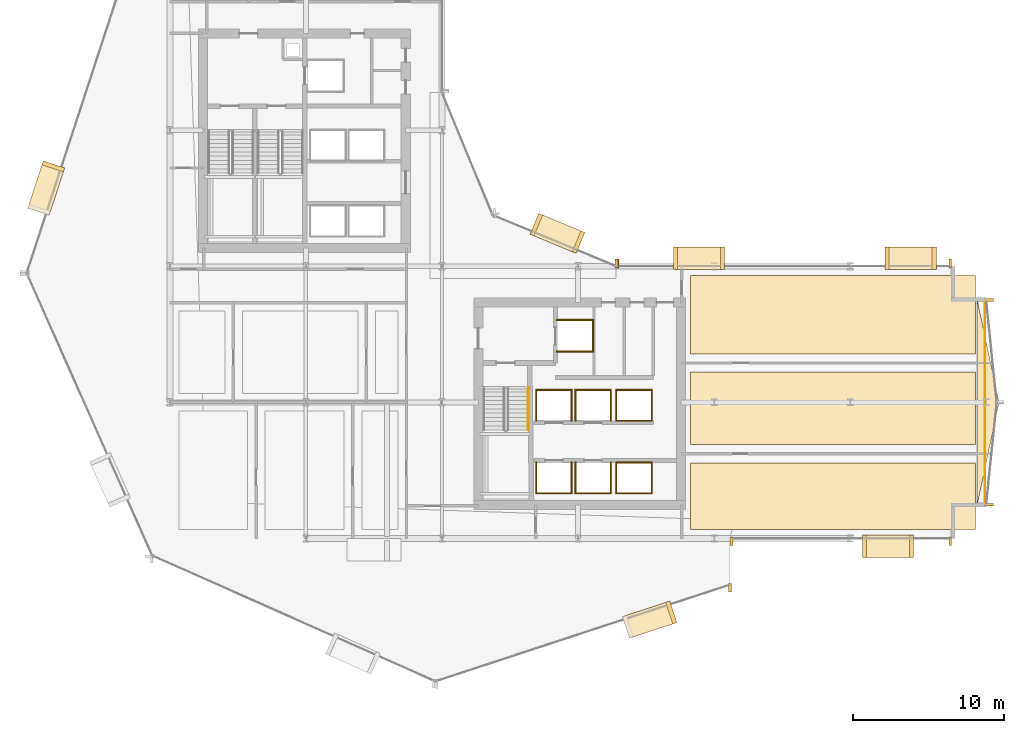
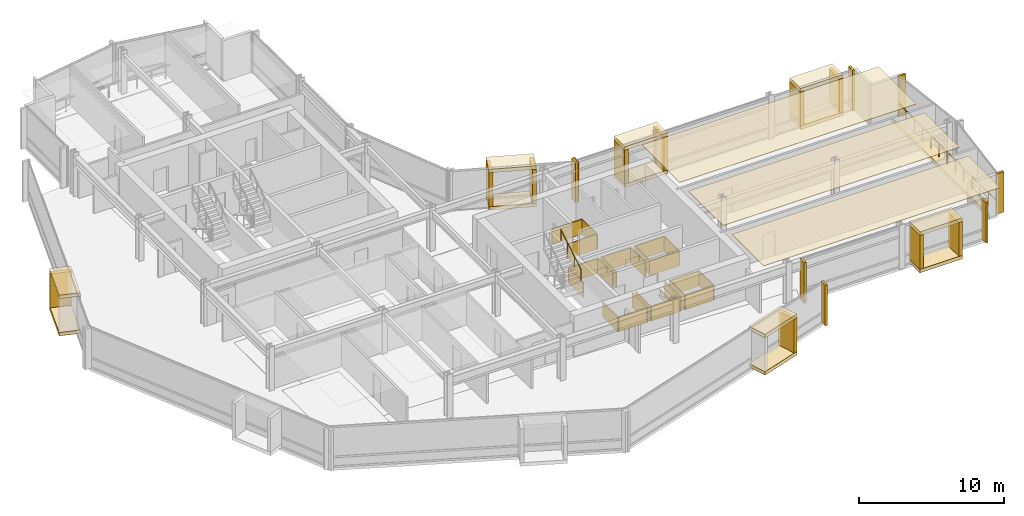
# One storey, part 32 of 34: 57 coverings, 2 railings.
"""IFC4 building model written with IfcOpenShell, lengths in metres."""

from ifc_helpers import new_model, si_unit, direction, frame, origin, origin_2d, place, context, subcontext, project, spatial, polyline, rectangle, circle, outline, extrude, material, layer, layer_set, type_object, element, save


model = new_model("IFC4")

# Units and contexts
model_context = context("Model", 3, precision=1e-05, world=origin(), true_north=direction((0.0, 1.0)))
body_context = subcontext(model_context, "Body", "Model", "MODEL_VIEW")
ifc_project = project(units=[si_unit("LENGTHUNIT", "METRE"), si_unit("AREAUNIT", "SQUARE_METRE"), si_unit("VOLUMEUNIT", "CUBIC_METRE"), si_unit("PLANEANGLEUNIT", "RADIAN"), si_unit("MASSUNIT", "GRAM", prefix="KILO")], contexts=[model_context])

# Site, building, storey
site_placement = place(None, origin())
site = spatial("IfcSite", under=ifc_project, at=site_placement, CompositionType="ELEMENT")
building_placement = place(site_placement, origin())
building = spatial("IfcBuilding", under=site, at=building_placement, Name="Solvaryn Broadcast Tower", CompositionType="ELEMENT")
storey_placement = place(building_placement, frame((0.0, 0.0, 76.699951171875)))
storey = spatial("IfcBuildingStorey", under=building, at=storey_placement, Name="L18", CompositionType="ELEMENT", Elevation=76.699951171875)

# Coverings
ifc_material_1 = material(Name="Micro-Perforated Acoustic Gypsum Ceiling", Category="concrete")
ifc_layer_1 = layer(ifc_material_1, 0.0400390625)
ifc_layer_set_1 = layer_set([ifc_layer_1], Name="CV-CEIL-ACOUSTIC")
covering_type_1 = type_object("IfcCoveringType", Name="CV-CEIL-ACOUSTIC", PredefinedType="CEILING", material=ifc_layer_set_1)
covering_1_placement = place(storey_placement, frame((0.0, 0.0, 3.380126953125)))
element("IfcCovering", 1, at=covering_1_placement, inside=storey, type_object=covering_type_1, Name="L18 Room Acoustic Ceiling 10", PredefinedType="CEILING", context=body_context, shape_type="SweptSolid", body=[
    extrude(outline(polyline([(43.449951171875, 9.60009765625), (62.300048828125, 9.60009765625), (62.300048828125, 14.0), (43.449951171875, 14.0), (43.449951171875, 9.60009765625)])), origin(), (0.0, 0.0, 1.0), 0.0400390625),
])
covering_2_placement = place(storey_placement, frame((0.0, 0.0, 3.380126953125)))
element("IfcCovering", 2, at=covering_2_placement, inside=storey, type_object=covering_type_1, Name="L18 Room Acoustic Ceiling 11", PredefinedType="CEILING", context=body_context, shape_type="SweptSolid", body=[
    extrude(outline(polyline([(43.449951171875, 15.199951171875), (62.300048828125, 15.199951171875), (62.300048828125, 20.0), (43.449951171875, 20.0), (43.449951171875, 15.199951171875)])), origin(), (0.0, 0.0, 1.0), 0.0400390625),
])
covering_3_placement = place(storey_placement, frame((0.0, 0.0, 3.380126953125)))
element("IfcCovering", 3, at=covering_3_placement, inside=storey, type_object=covering_type_1, Name="L18 Room Acoustic Ceiling 12", PredefinedType="CEILING", context=body_context, shape_type="SweptSolid", body=[
    extrude(outline(polyline([(43.449951171875, 21.199951171875), (62.300048828125, 21.199951171875), (62.300048828125, 26.39990234375), (43.449951171875, 26.39990234375), (43.449951171875, 21.199951171875)])), origin(), (0.0, 0.0, 1.0), 0.0400390625),
])
ifc_material_2 = material(Name="Fire-Rated Gypsum Shaftwall Liner", Category="concrete")
ifc_layer_2 = layer(ifc_material_2, 0.080078125)
ifc_layer_set_2 = layer_set([ifc_layer_2], Name="CV-SHAFT-LINER")
covering_type_2 = type_object("IfcCoveringType", Name="CV-SHAFT-LINER", PredefinedType="CLADDING", material=ifc_layer_set_2)
for number, where, z_axis, x_axis, name in (
    (4, (35.800048828125, 23.43994140625, 0.0), (0.0, 0.0, 1.0), (1.0, 0.0, 0.0), "L18 FL2 Hoistway Shaft Liner North"),
    (5, (35.800048828125, 21.360107421875, 0.0), (0.0, 0.0, 1.0), (1.0, 0.0, 0.0), "L18 FL2 Hoistway Shaft Liner South"),
):
    element("IfcCovering", number, at=place(storey_placement, frame(where, z_axis=z_axis, x_axis=x_axis)), inside=storey, type_object=covering_type_2, Name=name, PredefinedType="CLADDING", context=body_context, shape_type="SweptSolid", body=[
        extrude(rectangle(XDim=2.4599609375, YDim=0.080078125, at=origin_2d()), origin(), (0.0, 0.0, 1.0), 1.25),
    ])
covering_4_placement = place(storey_placement, frame((36.989990234375, 22.39990234375, 0.0), z_axis=(0.0, 0.0, 1.0), x_axis=(1.0, 0.0, 0.0)))
element("IfcCovering", 6, at=covering_4_placement, inside=storey, type_object=covering_type_2, Name="L18 FL2 Hoistway Shaft Liner East", PredefinedType="CLADDING", context=body_context, shape_type="SweptSolid", body=[
    extrude(rectangle(XDim=0.080078125, YDim=2.159912109375, at=origin_2d()), origin(), (0.0, 0.0, 1.0), 1.25),
])
covering_5_placement = place(storey_placement, frame((34.39990234375, 11.985107421875, 0.0), z_axis=(0.0, 0.0, 1.0), x_axis=(1.0, 0.0, 0.0)))
element("IfcCovering", 7, at=covering_5_placement, inside=storey, type_object=covering_type_2, Name="L18 PL1 Hoistway Shaft Liner South", PredefinedType="CLADDING", context=body_context, shape_type="SweptSolid", body=[
    extrude(rectangle(XDim=2.409912109375, YDim=0.080078125, at=origin_2d()), origin(), (0.0, 0.0, 1.0), 1.25),
])
for number, where, z_axis, x_axis, name in (
    (8, (35.56494140625, 13.0, 0.0), (0.0, 0.0, 1.0), (1.0, 0.0, 0.0), "L18 PL1 Hoistway Shaft Liner East"),
    (9, (33.235107421875, 13.0, 0.0), (0.0, 0.0, 1.0), (1.0, 0.0, 0.0), "L18 PL1 Hoistway Shaft Liner West"),
):
    element("IfcCovering", number, at=place(storey_placement, frame(where, z_axis=z_axis, x_axis=x_axis)), inside=storey, type_object=covering_type_2, Name=name, PredefinedType="CLADDING", context=body_context, shape_type="SweptSolid", body=[
        extrude(rectangle(XDim=0.080078125, YDim=2.110107421875, at=origin_2d()), origin(), (0.0, 0.0, 1.0), 1.25),
    ])
covering_6_placement = place(storey_placement, frame((37.0, 11.985107421875, 0.0), z_axis=(0.0, 0.0, 1.0), x_axis=(1.0, 0.0, 0.0)))
element("IfcCovering", 10, at=covering_6_placement, inside=storey, type_object=covering_type_2, Name="L18 PL2 Hoistway Shaft Liner South", PredefinedType="CLADDING", context=body_context, shape_type="SweptSolid", body=[
    extrude(rectangle(XDim=2.409912109375, YDim=0.080078125, at=origin_2d()), origin(), (0.0, 0.0, 1.0), 1.25),
])
for number, where, z_axis, x_axis, name in (
    (11, (38.1650390625, 13.0, 0.0), (0.0, 0.0, 1.0), (1.0, 0.0, 0.0), "L18 PL2 Hoistway Shaft Liner East"),
    (12, (35.8349609375, 13.0, 0.0), (0.0, 0.0, 1.0), (1.0, 0.0, 0.0), "L18 PL2 Hoistway Shaft Liner West"),
):
    element("IfcCovering", number, at=place(storey_placement, frame(where, z_axis=z_axis, x_axis=x_axis)), inside=storey, type_object=covering_type_2, Name=name, PredefinedType="CLADDING", context=body_context, shape_type="SweptSolid", body=[
        extrude(rectangle(XDim=0.080078125, YDim=2.110107421875, at=origin_2d()), origin(), (0.0, 0.0, 1.0), 1.25),
    ])
covering_7_placement = place(storey_placement, frame((34.39990234375, 18.81494140625, 0.0), z_axis=(0.0, 0.0, 1.0), x_axis=(1.0, 0.0, 0.0)))
element("IfcCovering", 13, at=covering_7_placement, inside=storey, type_object=covering_type_2, Name="L18 PL3 Hoistway Shaft Liner North", PredefinedType="CLADDING", context=body_context, shape_type="SweptSolid", body=[
    extrude(rectangle(XDim=2.409912109375, YDim=0.080078125, at=origin_2d()), origin(), (0.0, 0.0, 1.0), 1.25),
])
for number, where, z_axis, x_axis, name in (
    (14, (35.56494140625, 17.800048828125, 0.0), (0.0, 0.0, 1.0), (1.0, 0.0, 0.0), "L18 PL3 Hoistway Shaft Liner East"),
    (15, (33.235107421875, 17.800048828125, 0.0), (0.0, 0.0, 1.0), (1.0, 0.0, 0.0), "L18 PL3 Hoistway Shaft Liner West"),
):
    element("IfcCovering", number, at=place(storey_placement, frame(where, z_axis=z_axis, x_axis=x_axis)), inside=storey, type_object=covering_type_2, Name=name, PredefinedType="CLADDING", context=body_context, shape_type="SweptSolid", body=[
        extrude(rectangle(XDim=0.080078125, YDim=2.110107421875, at=origin_2d()), origin(), (0.0, 0.0, 1.0), 1.25),
    ])
covering_8_placement = place(storey_placement, frame((37.0, 18.81494140625, 0.0), z_axis=(0.0, 0.0, 1.0), x_axis=(1.0, 0.0, 0.0)))
element("IfcCovering", 16, at=covering_8_placement, inside=storey, type_object=covering_type_2, Name="L18 PL4 Hoistway Shaft Liner North", PredefinedType="CLADDING", context=body_context, shape_type="SweptSolid", body=[
    extrude(rectangle(XDim=2.409912109375, YDim=0.080078125, at=origin_2d()), origin(), (0.0, 0.0, 1.0), 1.25),
])
for number, where, z_axis, x_axis, name in (
    (17, (38.1650390625, 17.800048828125, 0.0), (0.0, 0.0, 1.0), (1.0, 0.0, 0.0), "L18 PL4 Hoistway Shaft Liner East"),
    (18, (35.8349609375, 17.800048828125, 0.0), (0.0, 0.0, 1.0), (1.0, 0.0, 0.0), "L18 PL4 Hoistway Shaft Liner West"),
):
    element("IfcCovering", number, at=place(storey_placement, frame(where, z_axis=z_axis, x_axis=x_axis)), inside=storey, type_object=covering_type_2, Name=name, PredefinedType="CLADDING", context=body_context, shape_type="SweptSolid", body=[
        extrude(rectangle(XDim=0.080078125, YDim=2.110107421875, at=origin_2d()), origin(), (0.0, 0.0, 1.0), 1.25),
    ])
for number, where, z_axis, x_axis, name in (
    (19, (39.699951171875, 14.014892578125, 0.0), (0.0, 0.0, 1.0), (1.0, 0.0, 0.0), "L18 PM1 Hoistway Shaft Liner North"),
    (20, (39.699951171875, 11.985107421875, 0.0), (0.0, 0.0, 1.0), (1.0, 0.0, 0.0), "L18 PM1 Hoistway Shaft Liner South"),
):
    element("IfcCovering", number, at=place(storey_placement, frame(where, z_axis=z_axis, x_axis=x_axis)), inside=storey, type_object=covering_type_2, Name=name, PredefinedType="CLADDING", context=body_context, shape_type="SweptSolid", body=[
        extrude(rectangle(XDim=2.409912109375, YDim=0.080078125, at=origin_2d()), origin(), (0.0, 0.0, 1.0), 1.25),
    ])
for number, where, z_axis, x_axis, name in (
    (21, (40.864990234375, 13.0, 0.0), (0.0, 0.0, 1.0), (1.0, 0.0, 0.0), "L18 PM1 Hoistway Shaft Liner East"),
    (22, (38.534912109375, 13.0, 0.0), (0.0, 0.0, 1.0), (1.0, 0.0, 0.0), "L18 PM1 Hoistway Shaft Liner West"),
):
    element("IfcCovering", number, at=place(storey_placement, frame(where, z_axis=z_axis, x_axis=x_axis)), inside=storey, type_object=covering_type_2, Name=name, PredefinedType="CLADDING", context=body_context, shape_type="SweptSolid", body=[
        extrude(rectangle(XDim=0.080078125, YDim=2.110107421875, at=origin_2d()), origin(), (0.0, 0.0, 1.0), 1.25),
    ])
for number, where, z_axis, x_axis, name in (
    (23, (39.699951171875, 18.81494140625, 0.0), (0.0, 0.0, 1.0), (1.0, 0.0, 0.0), "L18 PM2 Hoistway Shaft Liner North"),
    (24, (39.699951171875, 16.784912109375, 0.0), (0.0, 0.0, 1.0), (1.0, 0.0, 0.0), "L18 PM2 Hoistway Shaft Liner South"),
):
    element("IfcCovering", number, at=place(storey_placement, frame(where, z_axis=z_axis, x_axis=x_axis)), inside=storey, type_object=covering_type_2, Name=name, PredefinedType="CLADDING", context=body_context, shape_type="SweptSolid", body=[
        extrude(rectangle(XDim=2.409912109375, YDim=0.080078125, at=origin_2d()), origin(), (0.0, 0.0, 1.0), 1.25),
    ])
for number, where, z_axis, x_axis, name in (
    (25, (40.864990234375, 17.800048828125, 0.0), (0.0, 0.0, 1.0), (1.0, 0.0, 0.0), "L18 PM2 Hoistway Shaft Liner East"),
    (26, (38.534912109375, 17.800048828125, 0.0), (0.0, 0.0, 1.0), (1.0, 0.0, 0.0), "L18 PM2 Hoistway Shaft Liner West"),
):
    element("IfcCovering", number, at=place(storey_placement, frame(where, z_axis=z_axis, x_axis=x_axis)), inside=storey, type_object=covering_type_2, Name=name, PredefinedType="CLADDING", context=body_context, shape_type="SweptSolid", body=[
        extrude(rectangle(XDim=0.080078125, YDim=2.110107421875, at=origin_2d()), origin(), (0.0, 0.0, 1.0), 1.25),
    ])
ifc_material_3 = material(Name="Glazed Architectural Terracotta Rainscreen Cladding", Category="masonry")
ifc_layer_3 = layer(ifc_material_3, 0.280029296875)
ifc_layer_set_3 = layer_set([ifc_layer_3], Name="CV-TC-CLAD")
covering_type_3 = type_object("IfcCoveringType", Name="CV-TC-CLAD", PredefinedType="CLADDING", material=ifc_layer_set_3)
for number, where, z_axis, x_axis, name in (
    (27, (0.819091796875, 32.173095703125, 3.1298828125), (0.0, 0.0, 1.0), (-0.311671636848, -0.950189870912, 0.0), "L18 Projecting Stone Window Box Hood 1"),
    (28, (0.819091796875, 32.173095703125, -0.009765625), (0.0, 0.0, 1.0), (-0.311671636848, -0.950189870912, 0.0), "L18 Projecting Stone Window Box Sill 1"),
):
    element("IfcCovering", number, at=place(storey_placement, frame(where, z_axis=z_axis, x_axis=x_axis)), inside=storey, type_object=covering_type_3, Name=name, PredefinedType="CLADDING", context=body_context, shape_type="SweptSolid", body=[
        extrude(rectangle(XDim=3.300048828125, YDim=1.5, at=origin_2d()), origin(), (0.0, 0.0, 1.0), 0.300048828125),
    ])
covering_9_placement = place(storey_placement, frame((1.28955078125, 33.60791015625, 0.27978515625), z_axis=(0.0, 0.0, 1.0), x_axis=(-0.311671636848, -0.950189870912, 0.0)))
element("IfcCovering", 29, at=covering_9_placement, inside=storey, type_object=covering_type_3, Name="L18 Projecting Stone Window Box Cheek 1-1", PredefinedType="CLADDING", context=body_context, shape_type="SweptSolid", body=[
    extrude(rectangle(XDim=0.280029296875, YDim=1.5, at=origin_2d()), origin(), (0.0, 0.0, 1.0), 2.860107421875),
])
for number, where, z_axis, x_axis, name in (
    (30, (40.73291015625, 3.6259765625, 3.1298828125), (0.0, 0.0, 1.0), (0.950189870912, 0.311671636848, 0.0), "L18 Projecting Stone Window Box Hood 4"),
    (31, (40.73291015625, 3.6259765625, -0.009765625), (0.0, 0.0, 1.0), (0.950189870912, 0.311671636848, 0.0), "L18 Projecting Stone Window Box Sill 4"),
):
    element("IfcCovering", number, at=place(storey_placement, frame(where, z_axis=z_axis, x_axis=x_axis)), inside=storey, type_object=covering_type_3, Name=name, PredefinedType="CLADDING", context=body_context, shape_type="SweptSolid", body=[
        extrude(rectangle(XDim=3.300048828125, YDim=1.5, at=origin_2d()), origin(), (0.0, 0.0, 1.0), 0.300048828125),
    ])
covering_10_placement = place(storey_placement, frame((42.167724609375, 4.0966796875, 0.27978515625), z_axis=(0.0, 0.0, 1.0), x_axis=(0.950189870912, 0.311671636848, 0.0)))
element("IfcCovering", 32, at=covering_10_placement, inside=storey, type_object=covering_type_3, Name="L18 Projecting Stone Window Box Cheek 4-2", PredefinedType="CLADDING", context=body_context, shape_type="SweptSolid", body=[
    extrude(rectangle(XDim=0.280029296875, YDim=1.5, at=origin_2d()), origin(), (0.0, 0.0, 1.0), 2.860107421875),
])
for number, where, z_axis, x_axis, name in (
    (33, (34.636962890625, 29.174072265625, 3.1298828125), (0.0, 0.0, 1.0), (-0.923879532511, 0.382683432365, 0.0), "L18 Projecting Stone Window Box Hood 5"),
    (34, (34.636962890625, 29.174072265625, -0.009765625), (0.0, 0.0, 1.0), (-0.923879532511, 0.382683432365, 0.0), "L18 Projecting Stone Window Box Sill 5"),
):
    element("IfcCovering", number, at=place(storey_placement, frame(where, z_axis=z_axis, x_axis=x_axis)), inside=storey, type_object=covering_type_3, Name=name, PredefinedType="CLADDING", context=body_context, shape_type="SweptSolid", body=[
        extrude(rectangle(XDim=3.300048828125, YDim=1.5, at=origin_2d()), origin(), (0.0, 0.0, 1.0), 0.300048828125),
    ])
for number, where, z_axis, x_axis, name in (
    (35, (36.031982421875, 28.59619140625, 0.27978515625), (0.0, 0.0, 1.0), (-0.923879532511, 0.382683432365, 0.0), "L18 Projecting Stone Window Box Cheek 5-1"),
    (36, (33.241943359375, 29.751953125, 0.27978515625), (0.0, 0.0, 1.0), (-0.923879532511, 0.382683432365, 0.0), "L18 Projecting Stone Window Box Cheek 5-2"),
):
    element("IfcCovering", number, at=place(storey_placement, frame(where, z_axis=z_axis, x_axis=x_axis)), inside=storey, type_object=covering_type_3, Name=name, PredefinedType="CLADDING", context=body_context, shape_type="SweptSolid", body=[
        extrude(rectangle(XDim=0.280029296875, YDim=1.5, at=origin_2d()), origin(), (0.0, 0.0, 1.0), 2.860107421875),
    ])
for number, where, z_axis, x_axis, name in (
    (37, (56.5, 8.469970703125, 3.1298828125), (0.0, 0.0, 1.0), (1.0, 0.0, 0.0), "L18 Projecting Stone Window Box Hood 6"),
    (38, (56.5, 8.469970703125, -0.009765625), (0.0, 0.0, 1.0), (1.0, 0.0, 0.0), "L18 Projecting Stone Window Box Sill 6"),
):
    element("IfcCovering", number, at=place(storey_placement, frame(where, z_axis=z_axis, x_axis=x_axis)), inside=storey, type_object=covering_type_3, Name=name, PredefinedType="CLADDING", context=body_context, shape_type="SweptSolid", body=[
        extrude(rectangle(XDim=3.39990234375, YDim=1.5, at=origin_2d()), origin(), (0.0, 0.0, 1.0), 0.300048828125),
    ])
for number, where, z_axis, x_axis, name in (
    (39, (54.93994140625, 8.469970703125, 0.27978515625), (0.0, 0.0, 1.0), (1.0, 0.0, 0.0), "L18 Projecting Stone Window Box Cheek 6-1"),
    (40, (58.06005859375, 8.469970703125, 0.27978515625), (0.0, 0.0, 1.0), (1.0, 0.0, 0.0), "L18 Projecting Stone Window Box Cheek 6-2"),
):
    element("IfcCovering", number, at=place(storey_placement, frame(where, z_axis=z_axis, x_axis=x_axis)), inside=storey, type_object=covering_type_3, Name=name, PredefinedType="CLADDING", context=body_context, shape_type="SweptSolid", body=[
        extrude(rectangle(XDim=0.280029296875, YDim=1.5, at=origin_2d()), origin(), (0.0, 0.0, 1.0), 2.860107421875),
    ])
for number, where, z_axis, x_axis, name in (
    (41, (44.0, 27.530029296875, 3.1298828125), (0.0, 0.0, 1.0), (1.0, 0.0, 0.0), "L18 Projecting Stone Window Box Hood 7"),
    (42, (44.0, 27.530029296875, -0.009765625), (0.0, 0.0, 1.0), (1.0, 0.0, 0.0), "L18 Projecting Stone Window Box Sill 7"),
):
    element("IfcCovering", number, at=place(storey_placement, frame(where, z_axis=z_axis, x_axis=x_axis)), inside=storey, type_object=covering_type_3, Name=name, PredefinedType="CLADDING", context=body_context, shape_type="SweptSolid", body=[
        extrude(rectangle(XDim=3.39990234375, YDim=1.5, at=origin_2d()), origin(), (0.0, 0.0, 1.0), 0.300048828125),
    ])
for number, where, z_axis, x_axis, name in (
    (43, (42.43994140625, 27.530029296875, 0.27978515625), (0.0, 0.0, 1.0), (1.0, 0.0, 0.0), "L18 Projecting Stone Window Box Cheek 7-1"),
    (44, (45.56005859375, 27.530029296875, 0.27978515625), (0.0, 0.0, 1.0), (1.0, 0.0, 0.0), "L18 Projecting Stone Window Box Cheek 7-2"),
):
    element("IfcCovering", number, at=place(storey_placement, frame(where, z_axis=z_axis, x_axis=x_axis)), inside=storey, type_object=covering_type_3, Name=name, PredefinedType="CLADDING", context=body_context, shape_type="SweptSolid", body=[
        extrude(rectangle(XDim=0.280029296875, YDim=1.5, at=origin_2d()), origin(), (0.0, 0.0, 1.0), 2.860107421875),
    ])
for number, where, z_axis, x_axis, name in (
    (45, (58.0, 27.530029296875, 3.1298828125), (0.0, 0.0, 1.0), (1.0, 0.0, 0.0), "L18 Projecting Stone Window Box Hood 8"),
    (46, (58.0, 27.530029296875, -0.009765625), (0.0, 0.0, 1.0), (1.0, 0.0, 0.0), "L18 Projecting Stone Window Box Sill 8"),
):
    element("IfcCovering", number, at=place(storey_placement, frame(where, z_axis=z_axis, x_axis=x_axis)), inside=storey, type_object=covering_type_3, Name=name, PredefinedType="CLADDING", context=body_context, shape_type="SweptSolid", body=[
        extrude(rectangle(XDim=3.39990234375, YDim=1.5, at=origin_2d()), origin(), (0.0, 0.0, 1.0), 0.300048828125),
    ])
for number, where, z_axis, x_axis, name in (
    (47, (56.43994140625, 27.530029296875, 0.27978515625), (0.0, 0.0, 1.0), (1.0, 0.0, 0.0), "L18 Projecting Stone Window Box Cheek 8-1"),
    (48, (59.56005859375, 27.530029296875, 0.27978515625), (0.0, 0.0, 1.0), (1.0, 0.0, 0.0), "L18 Projecting Stone Window Box Cheek 8-2"),
):
    element("IfcCovering", number, at=place(storey_placement, frame(where, z_axis=z_axis, x_axis=x_axis)), inside=storey, type_object=covering_type_3, Name=name, PredefinedType="CLADDING", context=body_context, shape_type="SweptSolid", body=[
        extrude(rectangle(XDim=0.280029296875, YDim=1.5, at=origin_2d()), origin(), (0.0, 0.0, 1.0), 2.860107421875),
    ])
ifc_material_4 = material(Name="Extruded Architectural Terracotta Fin", Category="masonry")
ifc_layer_4 = layer(ifc_material_4, 0.179931640625)
ifc_layer_set_4 = layer_set([ifc_layer_4], Name="CV-TC-FIN")
covering_type_4 = type_object("IfcCoveringType", Name="CV-TC-FIN", PredefinedType="USERDEFINED", material=ifc_layer_set_4)
for number, where, z_axis, x_axis, name in (
    (49, (46.043701171875, 5.735595703125, 0.0), (0.0, 0.0, 1.0), (1.0, 0.0, 0.0), "L18 Terracotta Vertical Fin FIN-L18-DR4-M01"),
    (50, (38.541259765625, 27.177978515625, 0.0), (0.0, 0.0, 1.0), (1.0, 0.0, 0.0), "L18 Terracotta Vertical Fin FIN-L18-CN1-M00"),
    (51, (46.14599609375, 8.8125, 0.0), (0.0, 0.0, 1.0), (1.0, 0.0, 0.0), "L18 Terracotta Vertical Fin FIN-L18-S2-M00"),
    (52, (60.6201171875, 8.8125, 0.0), (0.0, 0.0, 1.0), (1.0, 0.0, 0.0), "L18 Terracotta Vertical Fin FIN-L18-S2-M01"),
):
    element("IfcCovering", number, at=place(storey_placement, frame(where, z_axis=z_axis, x_axis=x_axis)), inside=storey, type_object=covering_type_4, Name=name, ObjectType="FIN", PredefinedType="USERDEFINED", context=body_context, shape_type="SweptSolid", body=[
        extrude(rectangle(XDim=0.179931640625, YDim=0.580078125, at=origin_2d()), origin(), (0.0, 0.0, 1.0), 3.419921875),
    ])
for number, where, z_axis, x_axis, name in (
    (53, (63.190673828125, 24.770263671875, 0.0), (0.0, 0.0, 1.0), (1.0, 0.0, 0.0), "L18 Terracotta Vertical Fin FIN-L18-ET1-M00"),
    (54, (63.190673828125, 11.229736328125, 0.0), (0.0, 0.0, 1.0), (1.0, 0.0, 0.0), "L18 Terracotta Vertical Fin FIN-L18-ET2-M01"),
):
    element("IfcCovering", number, at=place(storey_placement, frame(where, z_axis=z_axis, x_axis=x_axis)), inside=storey, type_object=covering_type_4, Name=name, ObjectType="FIN", PredefinedType="USERDEFINED", context=body_context, shape_type="SweptSolid", body=[
        extrude(rectangle(XDim=0.580078125, YDim=0.179931640625, at=origin_2d()), origin(), (0.0, 0.0, 1.0), 3.419921875),
    ])
for number, where, z_axis, x_axis, name in (
    (55, (38.6298828125, 27.1875, 0.0), (0.0, 0.0, 1.0), (1.0, 0.0, 0.0), "L18 Terracotta Vertical Fin FIN-L18-IH-M00"),
    (56, (60.6201171875, 27.1875, 0.0), (0.0, 0.0, 1.0), (1.0, 0.0, 0.0), "L18 Terracotta Vertical Fin FIN-L18-IH-M01"),
):
    element("IfcCovering", number, at=place(storey_placement, frame(where, z_axis=z_axis, x_axis=x_axis)), inside=storey, type_object=covering_type_4, Name=name, ObjectType="FIN", PredefinedType="USERDEFINED", context=body_context, shape_type="SweptSolid", body=[
        extrude(rectangle(XDim=0.179931640625, YDim=0.580078125, at=origin_2d()), origin(), (0.0, 0.0, 1.0), 3.419921875),
    ])
ifc_material_5 = material(Name="Sculpted Architectural Terracotta Wave Fascia", Category="masonry")
ifc_layer_5 = layer(ifc_material_5, 0.340087890625)
ifc_layer_set_5 = layer_set([ifc_layer_5], Name="CV-WAVE-TRAY")
covering_type_5 = type_object("IfcCoveringType", Name="CV-WAVE-TRAY", PredefinedType="CLADDING", material=ifc_layer_set_5)
covering_11_placement = place(storey_placement, frame((0.0, 0.0, -0.300048828125)))
element("IfcCovering", 57, at=covering_11_placement, inside=storey, type_object=covering_type_5, Name="L18 East Curved Wing Deck", PredefinedType="CLADDING", context=body_context, shape_type="SweptSolid", body=[
    extrude(outline(polyline([(62.39990234375, 11.199951171875), (63.85009765625, 18.0), (62.39990234375, 24.800048828125), (62.39990234375, 11.199951171875)])), origin(), (0.0, 0.0, 1.0), 0.330078125),
])

# Railings
ifc_material_6 = material(Name="Brushed Stainless Steel Tubular Handrail", Category="steel")
railing_type_1 = type_object("IfcRailingType", Name="RL-STAIR-HANDRAIL", PredefinedType="HANDRAIL", material=ifc_material_6)
railing_1_placement = place(storey_placement, frame((32.699951171875, 16.159912109375, 2.018310546875)))
element("IfcRailing", 58, at=railing_1_placement, inside=storey, type_object=railing_type_1, Name="L18 ST3 stair handrail 2", PredefinedType="HANDRAIL", context=body_context, shape_type="SweptSolid", body=[
    extrude(circle(Radius=0.02392578125, at=origin_2d()), frame((0.0, 0.0, 0.8759765625), z_axis=(0.0, 0.857275202839, 0.514858452973), x_axis=(-1.0, 0.0, 0.0)), (0.0, 0.0, 1.0), 3.26611328125),
    extrude(circle(Radius=0.02099609375, at=origin_2d()), origin(), (0.0, 0.0, 1.0), 0.851806640625),
    extrude(circle(Radius=0.02099609375, at=origin_2d()), frame((0.0, 0.933349609375, 0.560546875)), (0.0, 0.0, 1.0), 0.851806640625),
    extrude(circle(Radius=0.02099609375, at=origin_2d()), frame((0.0, 1.86669921875, 1.12109375)), (0.0, 0.0, 1.0), 0.851806640625),
    extrude(circle(Radius=0.02099609375, at=origin_2d()), frame((0.0, 2.800048828125, 1.681640625)), (0.0, 0.0, 1.0), 0.851806640625),
])
ifc_material_7 = material(Name="Stainless Steel and Laminated Glass Guard", Category="steel")
railing_type_2 = type_object("IfcRailingType", Name="RL-TER-1150", PredefinedType="BALUSTRADE", material=ifc_material_7)
railing_2_placement = place(storey_placement, frame((62.919921875, 11.199951171875, 0.0)))
element("IfcRailing", 59, at=railing_2_placement, inside=storey, type_object=railing_type_2, Name="L18 East Wing Spandrel Edge Guard", PredefinedType="BALUSTRADE", context=body_context, shape_type="SweptSolid", body=[
    extrude(circle(Radius=0.02392578125, at=origin_2d()), frame((0.0, 0.0, 1.1259765625), z_axis=(0.0, 1.0, 0.0), x_axis=(-1.0, 0.0, 0.0)), (0.0, 0.0, 1.0), 13.60009765625),
    extrude(circle(Radius=0.02099609375, at=origin_2d()), origin(), (0.0, 0.0, 1.0), 1.101806640625),
    extrude(circle(Radius=0.02099609375, at=origin_2d()), frame((0.0, 1.13330078125, 0.0)), (0.0, 0.0, 1.0), 1.101806640625),
    extrude(circle(Radius=0.02099609375, at=origin_2d()), frame((0.0, 2.2666015625, 0.0)), (0.0, 0.0, 1.0), 1.101806640625),
    extrude(circle(Radius=0.02099609375, at=origin_2d()), frame((0.0, 3.39990234375, 0.0)), (0.0, 0.0, 1.0), 1.101806640625),
    extrude(circle(Radius=0.02099609375, at=origin_2d()), frame((0.0, 4.533447265625, 0.0)), (0.0, 0.0, 1.0), 1.101806640625),
    extrude(circle(Radius=0.02099609375, at=origin_2d()), frame((0.0, 5.666748046875, 0.0)), (0.0, 0.0, 1.0), 1.101806640625),
    extrude(circle(Radius=0.02099609375, at=origin_2d()), frame((0.0, 6.800048828125, 0.0)), (0.0, 0.0, 1.0), 1.101806640625),
    extrude(circle(Radius=0.02099609375, at=origin_2d()), frame((0.0, 7.933349609375, 0.0)), (0.0, 0.0, 1.0), 1.101806640625),
    extrude(circle(Radius=0.02099609375, at=origin_2d()), frame((0.0, 9.066650390625, 0.0)), (0.0, 0.0, 1.0), 1.101806640625),
    extrude(circle(Radius=0.02099609375, at=origin_2d()), frame((0.0, 10.2001953125, 0.0)), (0.0, 0.0, 1.0), 1.101806640625),
    extrude(circle(Radius=0.02099609375, at=origin_2d()), frame((0.0, 11.33349609375, 0.0)), (0.0, 0.0, 1.0), 1.101806640625),
    extrude(circle(Radius=0.02099609375, at=origin_2d()), frame((0.0, 12.466796875, 0.0)), (0.0, 0.0, 1.0), 1.101806640625),
    extrude(circle(Radius=0.02099609375, at=origin_2d()), frame((0.0, 13.60009765625, 0.0)), (0.0, 0.0, 1.0), 1.101806640625),
])

save(model, "model.ifc")
